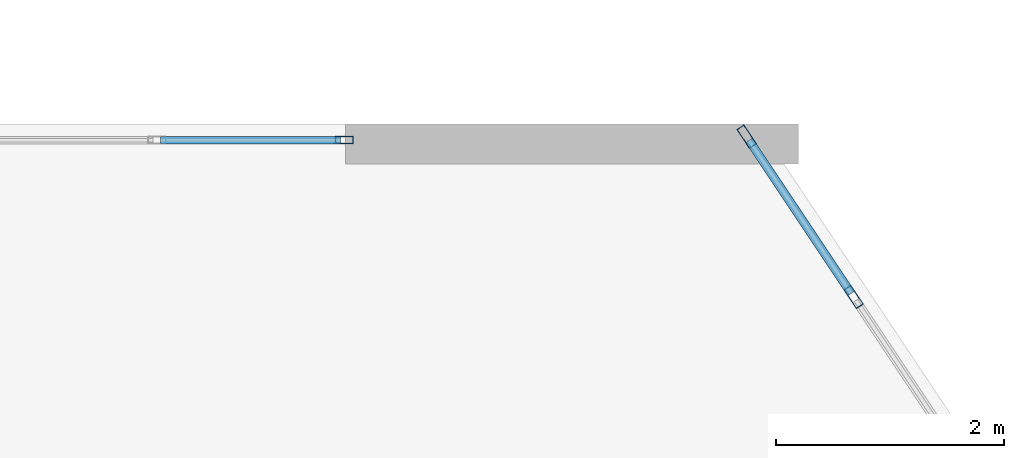
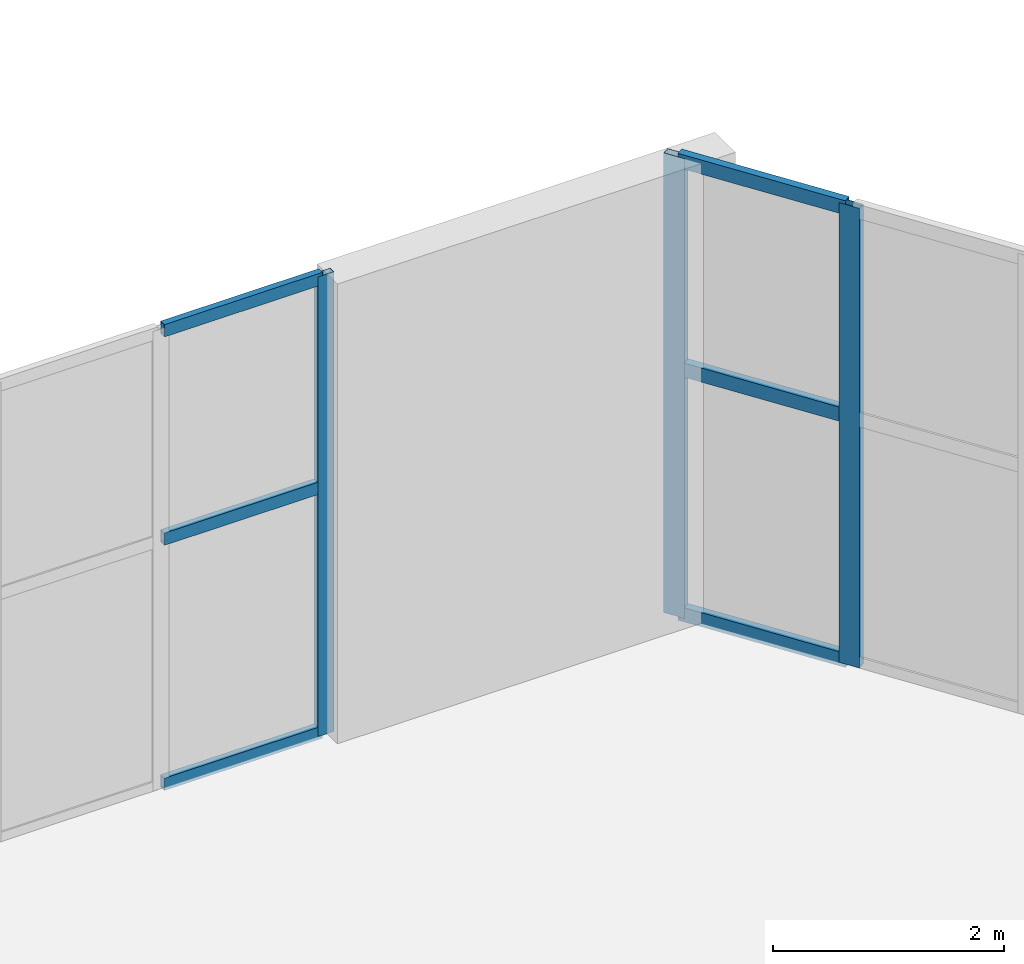
# One storey, part 64 of 128: 9 members, 2 elements without a shape of their own.
"""IFC4 building model written with IfcOpenShell, lengths in metres."""

from ifc_helpers import new_model, si_unit, direction, frame, origin, origin_2d, place, context, subcontext, project, spatial, hollow_rectangle, extrude, material, layer, layer_set, material_profile, profile_set, type_object, element, aggregate, save


model = new_model("IFC4")

# Units and contexts
model_context = context("Model", 3, precision=1e-05, world=origin(), true_north=direction((0.0, 1.0)))
body_context = subcontext(model_context, "Body", "Model", "MODEL_VIEW")
ifc_project = project(units=[si_unit("LENGTHUNIT", "METRE"), si_unit("AREAUNIT", "SQUARE_METRE"), si_unit("VOLUMEUNIT", "CUBIC_METRE"), si_unit("PLANEANGLEUNIT", "RADIAN"), si_unit("MASSUNIT", "GRAM", prefix="KILO")], contexts=[model_context])

# Site, building, storey
site_placement = place(None, origin())
site = spatial("IfcSite", under=ifc_project, at=site_placement, CompositionType="ELEMENT")
building_placement = place(site_placement, origin())
building = spatial("IfcBuilding", under=site, at=building_placement, Name="Xicomal Pleat Aquarium", CompositionType="ELEMENT")
storey_placement = place(building_placement, frame((0.0, 0.0, 5.39990234375)))
storey = spatial("IfcBuildingStorey", under=building, at=storey_placement, Name="L02", CompositionType="ELEMENT", Elevation=5.39990234375)

# Curtain wall, member
ifc_material_1 = material(Name="Bronze anodized aluminium 6063-T6", Category="aluminium")
ifc_layer_1 = layer(ifc_material_1, 0.159912109375)
ifc_layer_set_1 = layer_set([ifc_layer_1], Name="Bronze anodized aluminium 6063-T6")
curtain_wall_type_1 = type_object("IfcCurtainWallType", Name="CW-SYS-02", PredefinedType="NOTDEFINED", material=ifc_layer_set_1)
curtain_wall_1_placement = place(storey_placement, origin())
curtain_wall_1 = element("IfcCurtainWall", 1, at=curtain_wall_1_placement, inside=storey, type_object=curtain_wall_type_1, Name="L02 unitised curtain wall CW-L02-129", PredefinedType="NOTDEFINED")
ifc_material_2 = material(Name="Bronze anodized aluminium 6063-T6", Category="aluminium")
ifc_material_profile_1 = material_profile(ifc_material_2, hollow_rectangle(XDim=0.06494140625, YDim=0.159912109375, WallThickness=0.00390625, at=origin_2d()), Name="ALU MULL 65x160")
ifc_profile_set_1 = profile_set([ifc_material_profile_1], Name="Bronze anodized aluminium 6063-T6")
member_type_1 = type_object("IfcMemberType", Name="CWM-65x160", PredefinedType="MULLION", material=ifc_profile_set_1)
member_1_placement = place(storey_placement, frame((18.5673828125, 98.260009765625, 0.0), z_axis=(0.0, 0.0, 1.0), x_axis=(0.0, 1.0, 0.0)))
member_1 = element("IfcMember", 2, at=member_1_placement, type_object=member_type_1, Name="CW-02 mullion 6", PredefinedType="MULLION", context=body_context, shape_type="SweptSolid", body=[
    extrude(hollow_rectangle(XDim=0.06494140625, YDim=0.159912109375, WallThickness=0.00390625, at=origin_2d()), origin(), (0.0, 0.0, 1.0), 4.860107421875),
])

# Curtain wall, members
ifc_material_3 = material(Name="Bronze anodized aluminium 6063-T6", Category="aluminium")
ifc_layer_2 = layer(ifc_material_3, 0.159912109375)
ifc_layer_set_2 = layer_set([ifc_layer_2], Name="Bronze anodized aluminium 6063-T6")
curtain_wall_type_2 = type_object("IfcCurtainWallType", Name="CW-SYS-07", PredefinedType="NOTDEFINED", material=ifc_layer_set_2)
curtain_wall_2_placement = place(storey_placement, origin())
curtain_wall_2 = element("IfcCurtainWall", 3, at=curtain_wall_2_placement, inside=storey, type_object=curtain_wall_type_2, Name="L02 unitised curtain wall CW-L02-130", PredefinedType="NOTDEFINED")
ifc_material_4 = material(Name="Bronze anodized aluminium 6063-T6", Category="aluminium")
ifc_material_profile_2 = material_profile(ifc_material_4, hollow_rectangle(XDim=0.074951171875, YDim=0.199951171875, WallThickness=0.00439453125, at=origin_2d()), Name="ALU MULL 75x200")
ifc_profile_set_2 = profile_set([ifc_material_profile_2], Name="Bronze anodized aluminium 6063-T6")
member_type_2 = type_object("IfcMemberType", Name="CWM-75x200", PredefinedType="MULLION", material=ifc_profile_set_2)
member_2_placement = place(storey_placement, frame((22.104736328125, 98.290771484375, 0.0), z_axis=(0.0, 0.0, 1.0), x_axis=(0.832050294338, 0.554700196226, 0.0)))
member_2 = element("IfcMember", 4, at=member_2_placement, type_object=member_type_2, Name="CW-07 mullion 1", PredefinedType="MULLION", context=body_context, shape_type="SweptSolid", body=[
    extrude(hollow_rectangle(XDim=0.074951171875, YDim=0.199951171875, WallThickness=0.00439453125, at=origin_2d()), origin(), (0.0, 0.0, 1.0), 4.860107421875),
])
member_3_placement = place(storey_placement, frame((23.0439453125, 96.882080078125, 0.0), z_axis=(0.0, 0.0, 1.0), x_axis=(0.832050294338, 0.554700196226, 0.0)))
member_3 = element("IfcMember", 5, at=member_3_placement, type_object=member_type_2, Name="CW-07 mullion 2", PredefinedType="MULLION", context=body_context, shape_type="SweptSolid", body=[
    extrude(hollow_rectangle(XDim=0.074951171875, YDim=0.199951171875, WallThickness=0.00439453125, at=origin_2d()), origin(), (0.0, 0.0, 1.0), 4.860107421875),
])

# Member
ifc_material_5 = material(Name="Bronze anodized aluminium 6063-T6", Category="aluminium")
ifc_material_profile_3 = material_profile(ifc_material_5, hollow_rectangle(XDim=0.06494140625, YDim=0.1298828125, WallThickness=0.00390625, at=origin_2d()), Name="ALU TRAN 65x130")
ifc_profile_set_3 = profile_set([ifc_material_profile_3], Name="Bronze anodized aluminium 6063-T6")
member_type_3 = type_object("IfcMemberType", Name="CWT-65x130", PredefinedType="USERDEFINED", material=ifc_profile_set_3)
member_4_placement = place(storey_placement, frame((16.952392578125, 98.260009765625, 0.03271484375), z_axis=(1.0, 0.0, 0.0), x_axis=(0.0, 1.0, 0.0)))
member_4 = element("IfcMember", 6, at=member_4_placement, type_object=member_type_3, Name="CW-02 transom 5.1", ObjectType="TRANSOM", PredefinedType="USERDEFINED", context=body_context, shape_type="SweptSolid", body=[
    extrude(hollow_rectangle(XDim=0.06494140625, YDim=0.1298828125, WallThickness=0.00390625, at=origin_2d()), origin(), (0.0, 0.0, 1.0), 1.58251953125),
])

member_5_placement = place(storey_placement, frame((16.952392578125, 98.260009765625, 2.6240234375), z_axis=(1.0, 0.0, 0.0), x_axis=(0.0, 1.0, 0.0)))
member_5 = element("IfcMember", 7, at=member_5_placement, type_object=member_type_3, Name="CW-02 transom 5.2", ObjectType="TRANSOM", PredefinedType="USERDEFINED", context=body_context, shape_type="SweptSolid", body=[
    extrude(hollow_rectangle(XDim=0.06494140625, YDim=0.1298828125, WallThickness=0.00390625, at=origin_2d()), origin(), (0.0, 0.0, 1.0), 1.58251953125),
])

member_6_placement = place(storey_placement, frame((16.952392578125, 98.260009765625, 4.82763671875), z_axis=(1.0, 0.0, 0.0), x_axis=(0.0, 1.0, 0.0)))
member_6 = element("IfcMember", 8, at=member_6_placement, type_object=member_type_3, Name="CW-02 transom 5.3", ObjectType="TRANSOM", PredefinedType="USERDEFINED", context=body_context, shape_type="SweptSolid", body=[
    extrude(hollow_rectangle(XDim=0.06494140625, YDim=0.1298828125, WallThickness=0.00390625, at=origin_2d()), origin(), (0.0, 0.0, 1.0), 1.58251953125),
])

aggregate(curtain_wall_1, [member_1, member_4, member_5, member_6])

ifc_material_6 = material(Name="Bronze anodized aluminium 6063-T6", Category="aluminium")
ifc_material_profile_4 = material_profile(ifc_material_6, hollow_rectangle(XDim=0.074951171875, YDim=0.14990234375, WallThickness=0.00439453125, at=origin_2d()), Name="ALU TRAN 75x150")
ifc_profile_set_4 = profile_set([ifc_material_profile_4], Name="Bronze anodized aluminium 6063-T6")
member_type_4 = type_object("IfcMemberType", Name="CWT-75x150", PredefinedType="USERDEFINED", material=ifc_profile_set_4)
member_7_placement = place(storey_placement, frame((22.12548828125, 98.259521484375, 0.03759765625), z_axis=(0.554735011016, -0.832027083425, 0.0), x_axis=(0.832027083425, 0.554735011016, 0.0)))
member_7 = element("IfcMember", 9, at=member_7_placement, type_object=member_type_4, Name="CW-07 transom 1.1", ObjectType="TRANSOM", PredefinedType="USERDEFINED", context=body_context, shape_type="SweptSolid", body=[
    extrude(hollow_rectangle(XDim=0.074951171875, YDim=0.14990234375, WallThickness=0.00439453125, at=origin_2d()), origin(), (0.0, 0.0, 1.0), 1.6181640625),
])

member_8_placement = place(storey_placement, frame((22.12548828125, 98.259521484375, 2.6240234375), z_axis=(0.554735011016, -0.832027083425, 0.0), x_axis=(0.832027083425, 0.554735011016, 0.0)))
member_8 = element("IfcMember", 10, at=member_8_placement, type_object=member_type_4, Name="CW-07 transom 1.2", ObjectType="TRANSOM", PredefinedType="USERDEFINED", context=body_context, shape_type="SweptSolid", body=[
    extrude(hollow_rectangle(XDim=0.074951171875, YDim=0.14990234375, WallThickness=0.00439453125, at=origin_2d()), origin(), (0.0, 0.0, 1.0), 1.6181640625),
])

member_9_placement = place(storey_placement, frame((22.12548828125, 98.259521484375, 4.822509765625), z_axis=(0.554735011016, -0.832027083425, 0.0), x_axis=(0.832027083425, 0.554735011016, 0.0)))
member_9 = element("IfcMember", 11, at=member_9_placement, type_object=member_type_4, Name="CW-07 transom 1.3", ObjectType="TRANSOM", PredefinedType="USERDEFINED", context=body_context, shape_type="SweptSolid", body=[
    extrude(hollow_rectangle(XDim=0.074951171875, YDim=0.14990234375, WallThickness=0.00439453125, at=origin_2d()), origin(), (0.0, 0.0, 1.0), 1.6181640625),
])

aggregate(curtain_wall_2, [member_2, member_3, member_7, member_8, member_9])

save(model, "model.ifc")
